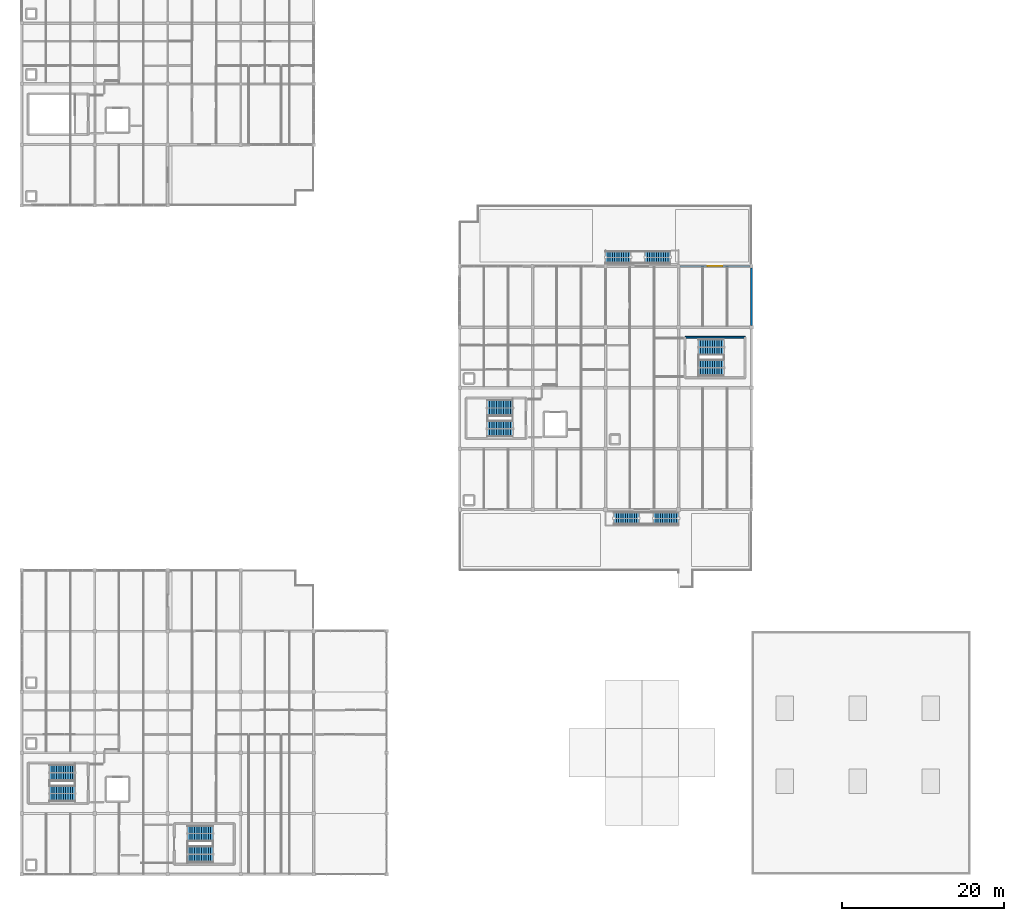
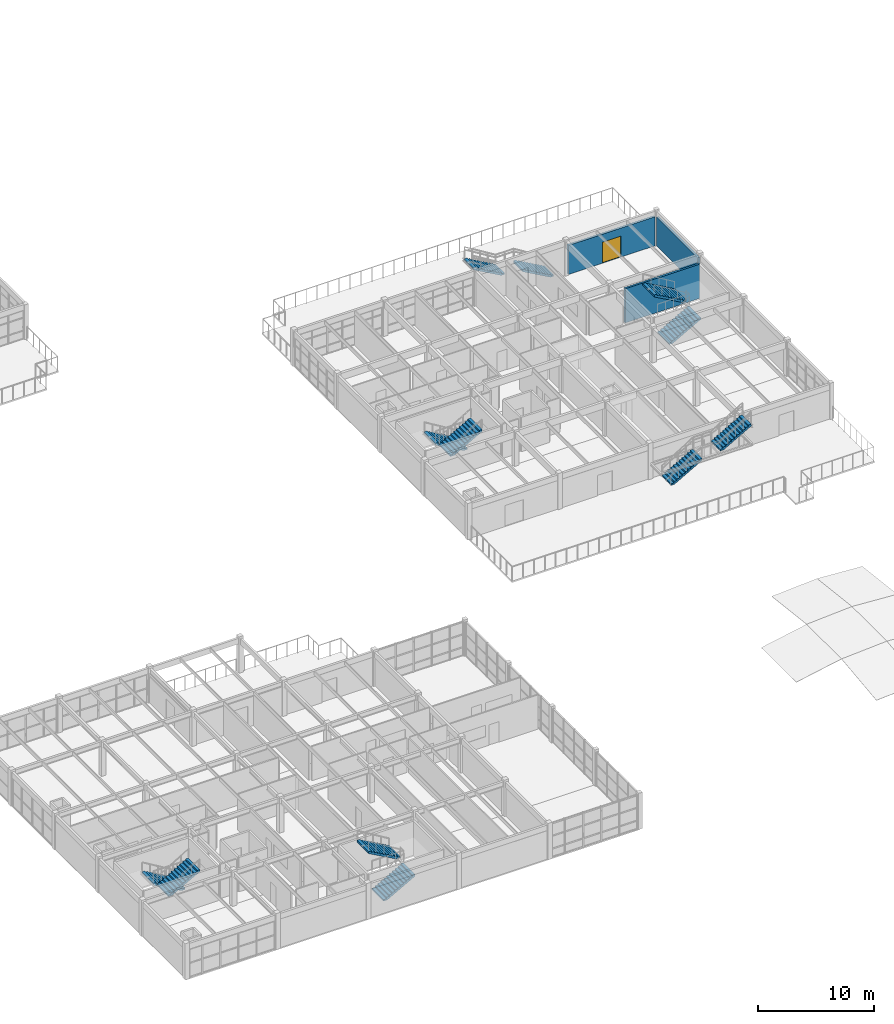
# One storey, part 41 of 45: 12 stair flights, 3 walls, 1 door, 1 opening, 6 elements without a shape of their own.
"""IFC4 building model written with IfcOpenShell, lengths in metres."""

from ifc_helpers import new_model, si_unit, direction, frame, frame_2d, origin, place, context, subcontext, project, spatial, polyline, rectangle, outline, extrude, material, layer, layer_set, type_object, element, fill, aggregate, save


model = new_model("IFC4")

# Units and contexts
model_context = context("Model", 3, precision=1e-05, world=origin(), true_north=direction((0.0, 1.0)))
body_context = subcontext(model_context, "Body", "Model", "MODEL_VIEW")
ifc_project = project(units=[si_unit("LENGTHUNIT", "METRE"), si_unit("AREAUNIT", "SQUARE_METRE"), si_unit("VOLUMEUNIT", "CUBIC_METRE"), si_unit("PLANEANGLEUNIT", "RADIAN"), si_unit("MASSUNIT", "GRAM", prefix="KILO")], contexts=[model_context])

# Site, building, storey
site_placement = place(None, origin())
site = spatial("IfcSite", under=ifc_project, at=site_placement, CompositionType="ELEMENT")
building_placement = place(site_placement, origin())
building = spatial("IfcBuilding", under=site, at=building_placement, Name="Marnridge Secondary College", CompositionType="ELEMENT")
storey_placement = place(building_placement, frame((0.0, 0.0, 12.300048828125)))
storey = spatial("IfcBuildingStorey", under=building, at=storey_placement, Name="L03", CompositionType="ELEMENT", Elevation=12.300048828125)

# Wall
ifc_material_1 = material(Name="Concrete C40/50 (AS 3600 N40, 40 MPa)", Category="concrete")
ifc_layer_1 = layer(ifc_material_1, 0.199951171875)
ifc_layer_set_1 = layer_set([ifc_layer_1], Name="WT-CORE-RC200")
wall_type_1 = type_object("IfcWallType", Name="WT-CORE-RC200", PredefinedType="SHEAR", material=ifc_layer_set_1)
wall_1_placement = place(storey_placement, frame((89.199951171875, 66.25, 0.0), z_axis=(0.0, 0.0, 1.0), x_axis=(-1.0, 0.0, 0.0)))
element("IfcWall", 1, at=wall_1_placement, inside=storey, type_object=wall_type_1, Name="Stair core shear wall WC-L03-0287", PredefinedType="SHEAR", context=body_context, shape_type="SweptSolid", body=[
    extrude(rectangle(XDim=7.39990234375, YDim=0.199951171875, at=frame_2d((3.699951171875, 0.0))), origin(), (0.0, 0.0, 1.0), 3.58984375),
])

# Wall, opening, door
ifc_material_2 = material(Name="Cross-laminated timber CL5", Category="wood")
ifc_layer_2 = layer(ifc_material_2, 0.215087890625)
ifc_layer_set_2 = layer_set([ifc_layer_2], Name="WT-EXT-CLT215")
wall_type_2 = type_object("IfcWallType", Name="WT-EXT-CLT215", PredefinedType="SOLIDWALL", material=ifc_layer_set_2)
wall_2_placement = place(storey_placement, frame((81.196044921875, 75.0, 0.0), z_axis=(0.0, 0.0, 1.0), x_axis=(1.0, 0.0, 0.0)))
wall_2 = element("IfcWall", 2, at=wall_2_placement, inside=storey, type_object=wall_type_2, Name="Exterior wall WE-L03-0165", PredefinedType="SOLIDWALL", context=body_context, shape_type="SweptSolid", body=[
    extrude(rectangle(XDim=8.60791015625, YDim=0.215087890625, at=frame_2d((4.303955078125, 0.0))), origin(), (0.0, 0.0, 1.0), 3.046875),
])
opening_placement = place(wall_2_placement, frame((3.404052734375, 0.0, 0.0)))
opening = element("IfcOpeningElement", 3, at=opening_placement, cuts=wall_2, Name="Opening DE-L03-031", PredefinedType="OPENING", context=body_context, shape_type="SweptSolid", body=[
    extrude(rectangle(XDim=1.800048828125, YDim=2.199951171875, at=frame_2d((0.89990234375, 1.10009765625))), frame((0.0, 0.117431640625, 0.0), z_axis=(0.0, -1.0, 0.0), x_axis=(1.0, 0.0, 0.0)), (0.0, 0.0, 1.0), 0.235107421875),
])
ifc_material_3 = material(Name="Thermally broken timber-aluminium terrace doorset", Category="wood")
door_type = type_object("IfcDoorType", Name="DT-EXT-TER180", OperationType="DOUBLE_DOOR_SINGLE_SWING", PredefinedType="DOOR", material=ifc_material_3)
door_placement = place(opening_placement, origin())
door = element("IfcDoor", 4, at=door_placement, inside=storey, type_object=door_type, Name="Play deck access door DE-L03-031", OperationType="DOUBLE_DOOR_SINGLE_SWING", OverallHeight=2.199951171875, OverallWidth=1.800048828125, PredefinedType="DOOR", context=body_context, shape_type="SweptSolid", body=[
    extrude(rectangle(XDim=1.800048828125, YDim=2.199951171875, at=frame_2d((0.89990234375, 1.10009765625))), frame((0.0, 0.02490234375, 0.0), z_axis=(0.0, -1.0, 0.0), x_axis=(1.0, 0.0, 0.0)), (0.0, 0.0, 1.0), 0.050048828125),
])
fill(opening, door)

# Wall
wall_3_placement = place(storey_placement, frame((90.0, 74.803955078125, 0.0), z_axis=(0.0, 0.0, 1.0), x_axis=(0.0, -1.0, 0.0)))
element("IfcWall", 5, at=wall_3_placement, inside=storey, type_object=wall_type_2, Name="Exterior wall WE-L03-0166", PredefinedType="SOLIDWALL", context=body_context, shape_type="SweptSolid", body=[
    extrude(rectangle(XDim=7.0830078125, YDim=0.215087890625, at=frame_2d((3.54150390625, 0.0))), origin(), (0.0, 0.0, 1.0), 3.046875),
])

# Stair, stair flights
ifc_material_4 = material(Name="Concrete C40/50 (AS 3600 N40, 40 MPa)", Category="concrete")
stair_type_1 = type_object("IfcStairType", Name="STC1", PredefinedType="HALF_TURN_STAIR", material=ifc_material_4)
stair_1_placement = place(storey_placement, origin())
stair_1 = element("IfcStair", 6, at=stair_1_placement, inside=storey, type_object=stair_type_1, Name="Fire-isolated stair ST-01-L03", PredefinedType="HALF_TURN_STAIR")
ifc_material_5 = material(Name="Concrete C40/50 (AS 3600 N40, 40 MPa)", Category="concrete")
stair_flight_type_1 = type_object("IfcStairFlightType", Name="SFC1", PredefinedType="STRAIGHT", material=ifc_material_5)
stair_flight_1_placement = place(storey_placement, frame((60.550048828125, 57.530029296875, 0.0), z_axis=(0.0, 0.0, 1.0), x_axis=(-1.0, 0.0, 0.0)))
stair_flight_1 = element("IfcStairFlight", 7, at=stair_flight_1_placement, type_object=stair_flight_type_1, Name="ST-01-L03 flight 1", NumberOfRisers=12, NumberOfTreads=11, PredefinedType="STRAIGHT", RiserHeight=0.158333333, TreadLength=0.285, context=body_context, shape_type="SweptSolid", body=[
    extrude(outline(polyline([(0.0, 0.0), (0.0, 0.158447265625), (0.284912109375, 0.158447265625), (0.284912109375, 0.316650390625), (0.570068359375, 0.316650390625), (0.570068359375, 0.47509765625), (0.85498046875, 0.47509765625), (0.85498046875, 0.63330078125), (1.139892578125, 0.63330078125), (1.139892578125, 0.791748046875), (1.425048828125, 0.791748046875), (1.425048828125, 0.949951171875), (1.7099609375, 0.949951171875), (1.7099609375, 1.1083984375), (1.9951171875, 1.1083984375), (1.9951171875, 1.2666015625), (2.280029296875, 1.2666015625), (2.280029296875, 1.425048828125), (2.56494140625, 1.425048828125), (2.56494140625, 1.583251953125), (2.85009765625, 1.583251953125), (2.85009765625, 1.74169921875), (3.135009765625, 1.74169921875), (3.135009765625, 1.89990234375), (3.135009765625, 1.535888671875), (0.37060546875, 0.0), (0.0, 0.0)])), frame((0.0, 1.0, 0.0), z_axis=(0.0, -1.0, 0.0), x_axis=(1.0, 0.0, 0.0)), (0.0, 0.0, 1.0), 2.0),
])
stair_flight_2_placement = place(storey_placement, frame((57.4150390625, 54.969970703125, 1.89990234375), z_axis=(0.0, 0.0, 1.0), x_axis=(1.0, 0.0, 0.0)))
stair_flight_2 = element("IfcStairFlight", 8, at=stair_flight_2_placement, type_object=stair_flight_type_1, Name="ST-01-L03 flight 2", NumberOfRisers=12, NumberOfTreads=11, PredefinedType="STRAIGHT", RiserHeight=0.158333333, TreadLength=0.285, context=body_context, shape_type="SweptSolid", body=[
    extrude(outline(polyline([(0.0, 0.0), (0.0, 0.158447265625), (0.284912109375, 0.158447265625), (0.284912109375, 0.316650390625), (0.570068359375, 0.316650390625), (0.570068359375, 0.47509765625), (0.85498046875, 0.47509765625), (0.85498046875, 0.63330078125), (1.139892578125, 0.63330078125), (1.139892578125, 0.791748046875), (1.425048828125, 0.791748046875), (1.425048828125, 0.949951171875), (1.7099609375, 0.949951171875), (1.7099609375, 1.1083984375), (1.9951171875, 1.1083984375), (1.9951171875, 1.2666015625), (2.280029296875, 1.2666015625), (2.280029296875, 1.425048828125), (2.56494140625, 1.425048828125), (2.56494140625, 1.583251953125), (2.85009765625, 1.583251953125), (2.85009765625, 1.74169921875), (3.135009765625, 1.74169921875), (3.135009765625, 1.89990234375), (3.135009765625, 1.535888671875), (0.37060546875, 0.0), (0.0, 0.0)])), frame((0.0, 1.0, 0.0), z_axis=(0.0, -1.0, 0.0), x_axis=(1.0, 0.0, 0.0)), (0.0, 0.0, 1.0), 2.0),
])
aggregate(stair_1, [stair_flight_1, stair_flight_2])

stair_2_placement = place(storey_placement, origin())
stair_2 = element("IfcStair", 9, at=stair_2_placement, inside=storey, type_object=stair_type_1, Name="Fire-isolated stair ST-02-L03", PredefinedType="HALF_TURN_STAIR")
stair_flight_3_placement = place(storey_placement, frame((83.449951171875, 62.469970703125, 0.0), z_axis=(0.0, 0.0, 1.0), x_axis=(1.0, 0.0, 0.0)))
stair_flight_3 = element("IfcStairFlight", 10, at=stair_flight_3_placement, type_object=stair_flight_type_1, Name="ST-02-L03 flight 1", NumberOfRisers=12, NumberOfTreads=11, PredefinedType="STRAIGHT", RiserHeight=0.158333333, TreadLength=0.285, context=body_context, shape_type="SweptSolid", body=[
    extrude(outline(polyline([(0.0, 0.0), (0.0, 0.158447265625), (0.284912109375, 0.158447265625), (0.284912109375, 0.316650390625), (0.570068359375, 0.316650390625), (0.570068359375, 0.47509765625), (0.85498046875, 0.47509765625), (0.85498046875, 0.63330078125), (1.139892578125, 0.63330078125), (1.139892578125, 0.791748046875), (1.425048828125, 0.791748046875), (1.425048828125, 0.949951171875), (1.7099609375, 0.949951171875), (1.7099609375, 1.1083984375), (1.9951171875, 1.1083984375), (1.9951171875, 1.2666015625), (2.280029296875, 1.2666015625), (2.280029296875, 1.425048828125), (2.56494140625, 1.425048828125), (2.56494140625, 1.583251953125), (2.85009765625, 1.583251953125), (2.85009765625, 1.74169921875), (3.135009765625, 1.74169921875), (3.135009765625, 1.89990234375), (3.135009765625, 1.535888671875), (0.37060546875, 0.0), (0.0, 0.0)])), frame((0.0, 1.0, 0.0), z_axis=(0.0, -1.0, 0.0), x_axis=(1.0, 0.0, 0.0)), (0.0, 0.0, 1.0), 2.0),
])
stair_flight_4_placement = place(storey_placement, frame((86.5849609375, 65.030029296875, 1.89990234375), z_axis=(0.0, 0.0, 1.0), x_axis=(-1.0, 0.0, 0.0)))
stair_flight_4 = element("IfcStairFlight", 11, at=stair_flight_4_placement, type_object=stair_flight_type_1, Name="ST-02-L03 flight 2", NumberOfRisers=12, NumberOfTreads=11, PredefinedType="STRAIGHT", RiserHeight=0.158333333, TreadLength=0.285, context=body_context, shape_type="SweptSolid", body=[
    extrude(outline(polyline([(0.0, 0.0), (0.0, 0.158447265625), (0.284912109375, 0.158447265625), (0.284912109375, 0.316650390625), (0.570068359375, 0.316650390625), (0.570068359375, 0.47509765625), (0.85498046875, 0.47509765625), (0.85498046875, 0.63330078125), (1.139892578125, 0.63330078125), (1.139892578125, 0.791748046875), (1.425048828125, 0.791748046875), (1.425048828125, 0.949951171875), (1.7099609375, 0.949951171875), (1.7099609375, 1.1083984375), (1.9951171875, 1.1083984375), (1.9951171875, 1.2666015625), (2.280029296875, 1.2666015625), (2.280029296875, 1.425048828125), (2.56494140625, 1.425048828125), (2.56494140625, 1.583251953125), (2.85009765625, 1.583251953125), (2.85009765625, 1.74169921875), (3.135009765625, 1.74169921875), (3.135009765625, 1.89990234375), (3.135009765625, 1.535888671875), (0.37060546875, 0.0), (0.0, 0.0)])), frame((0.0, 1.0, 0.0), z_axis=(0.0, -1.0, 0.0), x_axis=(1.0, 0.0, 0.0)), (0.0, 0.0, 1.0), 2.0),
])
aggregate(stair_2, [stair_flight_3, stair_flight_4])

stair_3_placement = place(storey_placement, origin())
stair_3 = element("IfcStair", 12, at=stair_3_placement, inside=storey, type_object=stair_type_1, Name="Fire-isolated stair ST-03-L03", PredefinedType="HALF_TURN_STAIR")
stair_flight_5_placement = place(storey_placement, frame((6.550048828125, 12.530029296875, 0.0), z_axis=(0.0, 0.0, 1.0), x_axis=(-1.0, 0.0, 0.0)))
stair_flight_5 = element("IfcStairFlight", 13, at=stair_flight_5_placement, type_object=stair_flight_type_1, Name="ST-03-L03 flight 1", NumberOfRisers=12, NumberOfTreads=11, PredefinedType="STRAIGHT", RiserHeight=0.158333333, TreadLength=0.285, context=body_context, shape_type="SweptSolid", body=[
    extrude(outline(polyline([(0.0, 0.0), (0.0, 0.158447265625), (0.284912109375, 0.158447265625), (0.284912109375, 0.316650390625), (0.570068359375, 0.316650390625), (0.570068359375, 0.47509765625), (0.85498046875, 0.47509765625), (0.85498046875, 0.63330078125), (1.139892578125, 0.63330078125), (1.139892578125, 0.791748046875), (1.425048828125, 0.791748046875), (1.425048828125, 0.949951171875), (1.7099609375, 0.949951171875), (1.7099609375, 1.1083984375), (1.9951171875, 1.1083984375), (1.9951171875, 1.2666015625), (2.280029296875, 1.2666015625), (2.280029296875, 1.425048828125), (2.56494140625, 1.425048828125), (2.56494140625, 1.583251953125), (2.85009765625, 1.583251953125), (2.85009765625, 1.74169921875), (3.135009765625, 1.74169921875), (3.135009765625, 1.89990234375), (3.135009765625, 1.535888671875), (0.37060546875, 0.0), (0.0, 0.0)])), frame((0.0, 1.0, 0.0), z_axis=(0.0, -1.0, 0.0), x_axis=(1.0, 0.0, 0.0)), (0.0, 0.0, 1.0), 2.0),
])
stair_flight_6_placement = place(storey_placement, frame((3.4150390625, 9.969970703125, 1.89990234375), z_axis=(0.0, 0.0, 1.0), x_axis=(1.0, 0.0, 0.0)))
stair_flight_6 = element("IfcStairFlight", 14, at=stair_flight_6_placement, type_object=stair_flight_type_1, Name="ST-03-L03 flight 2", NumberOfRisers=12, NumberOfTreads=11, PredefinedType="STRAIGHT", RiserHeight=0.158333333, TreadLength=0.285, context=body_context, shape_type="SweptSolid", body=[
    extrude(outline(polyline([(0.0, 0.0), (0.0, 0.158447265625), (0.284912109375, 0.158447265625), (0.284912109375, 0.316650390625), (0.570068359375, 0.316650390625), (0.570068359375, 0.47509765625), (0.85498046875, 0.47509765625), (0.85498046875, 0.63330078125), (1.139892578125, 0.63330078125), (1.139892578125, 0.791748046875), (1.425048828125, 0.791748046875), (1.425048828125, 0.949951171875), (1.7099609375, 0.949951171875), (1.7099609375, 1.1083984375), (1.9951171875, 1.1083984375), (1.9951171875, 1.2666015625), (2.280029296875, 1.2666015625), (2.280029296875, 1.425048828125), (2.56494140625, 1.425048828125), (2.56494140625, 1.583251953125), (2.85009765625, 1.583251953125), (2.85009765625, 1.74169921875), (3.135009765625, 1.74169921875), (3.135009765625, 1.89990234375), (3.135009765625, 1.535888671875), (0.37060546875, 0.0), (0.0, 0.0)])), frame((0.0, 1.0, 0.0), z_axis=(0.0, -1.0, 0.0), x_axis=(1.0, 0.0, 0.0)), (0.0, 0.0, 1.0), 2.0),
])
aggregate(stair_3, [stair_flight_5, stair_flight_6])

stair_4_placement = place(storey_placement, origin())
stair_4 = element("IfcStair", 15, at=stair_4_placement, inside=storey, type_object=stair_type_1, Name="Fire-isolated stair ST-04-L03", PredefinedType="HALF_TURN_STAIR")
stair_flight_7_placement = place(storey_placement, frame((20.449951171875, 2.469970703125, 0.0), z_axis=(0.0, 0.0, 1.0), x_axis=(1.0, 0.0, 0.0)))
stair_flight_7 = element("IfcStairFlight", 16, at=stair_flight_7_placement, type_object=stair_flight_type_1, Name="ST-04-L03 flight 1", NumberOfRisers=12, NumberOfTreads=11, PredefinedType="STRAIGHT", RiserHeight=0.158333333, TreadLength=0.285, context=body_context, shape_type="SweptSolid", body=[
    extrude(outline(polyline([(0.0, 0.0), (0.0, 0.158447265625), (0.284912109375, 0.158447265625), (0.284912109375, 0.316650390625), (0.570068359375, 0.316650390625), (0.570068359375, 0.47509765625), (0.85498046875, 0.47509765625), (0.85498046875, 0.63330078125), (1.139892578125, 0.63330078125), (1.139892578125, 0.791748046875), (1.425048828125, 0.791748046875), (1.425048828125, 0.949951171875), (1.7099609375, 0.949951171875), (1.7099609375, 1.1083984375), (1.9951171875, 1.1083984375), (1.9951171875, 1.2666015625), (2.280029296875, 1.2666015625), (2.280029296875, 1.425048828125), (2.56494140625, 1.425048828125), (2.56494140625, 1.583251953125), (2.85009765625, 1.583251953125), (2.85009765625, 1.74169921875), (3.135009765625, 1.74169921875), (3.135009765625, 1.89990234375), (3.135009765625, 1.535888671875), (0.37060546875, 0.0), (0.0, 0.0)])), frame((0.0, 1.0, 0.0), z_axis=(0.0, -1.0, 0.0), x_axis=(1.0, 0.0, 0.0)), (0.0, 0.0, 1.0), 2.0),
])
stair_flight_8_placement = place(storey_placement, frame((23.5849609375, 5.030029296875, 1.89990234375), z_axis=(0.0, 0.0, 1.0), x_axis=(-1.0, 0.0, 0.0)))
stair_flight_8 = element("IfcStairFlight", 17, at=stair_flight_8_placement, type_object=stair_flight_type_1, Name="ST-04-L03 flight 2", NumberOfRisers=12, NumberOfTreads=11, PredefinedType="STRAIGHT", RiserHeight=0.158333333, TreadLength=0.285, context=body_context, shape_type="SweptSolid", body=[
    extrude(outline(polyline([(0.0, 0.0), (0.0, 0.158447265625), (0.284912109375, 0.158447265625), (0.284912109375, 0.316650390625), (0.570068359375, 0.316650390625), (0.570068359375, 0.47509765625), (0.85498046875, 0.47509765625), (0.85498046875, 0.63330078125), (1.139892578125, 0.63330078125), (1.139892578125, 0.791748046875), (1.425048828125, 0.791748046875), (1.425048828125, 0.949951171875), (1.7099609375, 0.949951171875), (1.7099609375, 1.1083984375), (1.9951171875, 1.1083984375), (1.9951171875, 1.2666015625), (2.280029296875, 1.2666015625), (2.280029296875, 1.425048828125), (2.56494140625, 1.425048828125), (2.56494140625, 1.583251953125), (2.85009765625, 1.583251953125), (2.85009765625, 1.74169921875), (3.135009765625, 1.74169921875), (3.135009765625, 1.89990234375), (3.135009765625, 1.535888671875), (0.37060546875, 0.0), (0.0, 0.0)])), frame((0.0, 1.0, 0.0), z_axis=(0.0, -1.0, 0.0), x_axis=(1.0, 0.0, 0.0)), (0.0, 0.0, 1.0), 2.0),
])
aggregate(stair_4, [stair_flight_7, stair_flight_8])

ifc_material_6 = material(Name="Precast concrete C40/50 (AS 3600 N40, 40 MPa)", Category="concrete")
stair_type_2 = type_object("IfcStairType", Name="STZ1", PredefinedType="STRAIGHT_RUN_STAIR", material=ifc_material_6)
stair_5_placement = place(storey_placement, origin())
stair_5 = element("IfcStair", 18, at=stair_5_placement, inside=storey, type_object=stair_type_2, Name="Exterior terrace stair ST-Z2", PredefinedType="STRAIGHT_RUN_STAIR")
ifc_material_7 = material(Name="Precast concrete C40/50 (AS 3600 N40, 40 MPa)", Category="concrete")
stair_flight_type_2 = type_object("IfcStairFlightType", Name="SFZ1", PredefinedType="STRAIGHT", material=ifc_material_7)
stair_flight_9_placement = place(storey_placement, frame((79.9599609375, 76.10009765625, 0.0), z_axis=(0.0, 0.0, 1.0), x_axis=(-1.0, 0.0, 0.0)))
stair_flight_9 = element("IfcStairFlight", 19, at=stair_flight_9_placement, type_object=stair_flight_type_2, Name="ST-Z2 flight 1", NumberOfRisers=12, NumberOfTreads=11, PredefinedType="STRAIGHT", RiserHeight=0.158333333, TreadLength=0.28, context=body_context, shape_type="SweptSolid", body=[
    extrude(outline(polyline([(0.0, 0.0), (0.0, 0.158447265625), (0.280029296875, 0.158447265625), (0.280029296875, 0.316650390625), (0.56005859375, 0.316650390625), (0.56005859375, 0.47509765625), (0.840087890625, 0.47509765625), (0.840087890625, 0.63330078125), (1.1201171875, 0.63330078125), (1.1201171875, 0.791748046875), (1.39990234375, 0.791748046875), (1.39990234375, 0.949951171875), (1.679931640625, 0.949951171875), (1.679931640625, 1.1083984375), (1.9599609375, 1.1083984375), (1.9599609375, 1.2666015625), (2.239990234375, 1.2666015625), (2.239990234375, 1.425048828125), (2.52001953125, 1.425048828125), (2.52001953125, 1.583251953125), (2.800048828125, 1.583251953125), (2.800048828125, 1.74169921875), (3.080078125, 1.74169921875), (3.080078125, 1.89990234375), (3.080078125, 1.557861328125), (0.324951171875, 0.0), (0.0, 0.0)])), frame((0.0, 0.800048828125, 0.0), z_axis=(0.0, -1.0, 0.0), x_axis=(1.0, 0.0, 0.0)), (0.0, 0.0, 1.0), 1.60009765625),
])
stair_flight_10_placement = place(storey_placement, frame((75.080078125, 76.10009765625, 1.89990234375), z_axis=(0.0, 0.0, 1.0), x_axis=(-1.0, 0.0, 0.0)))
stair_flight_10 = element("IfcStairFlight", 20, at=stair_flight_10_placement, type_object=stair_flight_type_2, Name="ST-Z2 flight 2", NumberOfRisers=12, NumberOfTreads=11, PredefinedType="STRAIGHT", RiserHeight=0.158333333, TreadLength=0.28, context=body_context, shape_type="SweptSolid", body=[
    extrude(outline(polyline([(0.0, 0.0), (0.0, 0.158447265625), (0.280029296875, 0.158447265625), (0.280029296875, 0.316650390625), (0.56005859375, 0.316650390625), (0.56005859375, 0.47509765625), (0.840087890625, 0.47509765625), (0.840087890625, 0.63330078125), (1.1201171875, 0.63330078125), (1.1201171875, 0.791748046875), (1.39990234375, 0.791748046875), (1.39990234375, 0.949951171875), (1.679931640625, 0.949951171875), (1.679931640625, 1.1083984375), (1.9599609375, 1.1083984375), (1.9599609375, 1.2666015625), (2.239990234375, 1.2666015625), (2.239990234375, 1.425048828125), (2.52001953125, 1.425048828125), (2.52001953125, 1.583251953125), (2.800048828125, 1.583251953125), (2.800048828125, 1.74169921875), (3.080078125, 1.74169921875), (3.080078125, 1.89990234375), (3.080078125, 1.557861328125), (0.324951171875, 0.0), (0.0, 0.0)])), frame((0.0, 0.800048828125, 0.0), z_axis=(0.0, -1.0, 0.0), x_axis=(1.0, 0.0, 0.0)), (0.0, 0.0, 1.0), 1.60009765625),
])
aggregate(stair_5, [stair_flight_9, stair_flight_10])

stair_6_placement = place(storey_placement, origin())
stair_6 = element("IfcStair", 21, at=stair_6_placement, inside=storey, type_object=stair_type_2, Name="Exterior terrace stair ST-Z3", PredefinedType="STRAIGHT_RUN_STAIR")
stair_flight_11_placement = place(storey_placement, frame((73.0400390625, 43.89990234375, 0.0), z_axis=(0.0, 0.0, 1.0), x_axis=(1.0, 0.0, 0.0)))
stair_flight_11 = element("IfcStairFlight", 22, at=stair_flight_11_placement, type_object=stair_flight_type_2, Name="ST-Z3 flight 1", NumberOfRisers=12, NumberOfTreads=11, PredefinedType="STRAIGHT", RiserHeight=0.158333333, TreadLength=0.28, context=body_context, shape_type="SweptSolid", body=[
    extrude(outline(polyline([(0.0, 0.0), (0.0, 0.158447265625), (0.280029296875, 0.158447265625), (0.280029296875, 0.316650390625), (0.56005859375, 0.316650390625), (0.56005859375, 0.47509765625), (0.840087890625, 0.47509765625), (0.840087890625, 0.63330078125), (1.1201171875, 0.63330078125), (1.1201171875, 0.791748046875), (1.39990234375, 0.791748046875), (1.39990234375, 0.949951171875), (1.679931640625, 0.949951171875), (1.679931640625, 1.1083984375), (1.9599609375, 1.1083984375), (1.9599609375, 1.2666015625), (2.239990234375, 1.2666015625), (2.239990234375, 1.425048828125), (2.52001953125, 1.425048828125), (2.52001953125, 1.583251953125), (2.800048828125, 1.583251953125), (2.800048828125, 1.74169921875), (3.080078125, 1.74169921875), (3.080078125, 1.89990234375), (3.080078125, 1.557861328125), (0.324951171875, 0.0), (0.0, 0.0)])), frame((0.0, 0.800048828125, 0.0), z_axis=(0.0, -1.0, 0.0), x_axis=(1.0, 0.0, 0.0)), (0.0, 0.0, 1.0), 1.60009765625),
])
stair_flight_12_placement = place(storey_placement, frame((77.919921875, 43.89990234375, 1.89990234375), z_axis=(0.0, 0.0, 1.0), x_axis=(1.0, 0.0, 0.0)))
stair_flight_12 = element("IfcStairFlight", 23, at=stair_flight_12_placement, type_object=stair_flight_type_2, Name="ST-Z3 flight 2", NumberOfRisers=12, NumberOfTreads=11, PredefinedType="STRAIGHT", RiserHeight=0.158333333, TreadLength=0.28, context=body_context, shape_type="SweptSolid", body=[
    extrude(outline(polyline([(0.0, 0.0), (0.0, 0.158447265625), (0.280029296875, 0.158447265625), (0.280029296875, 0.316650390625), (0.56005859375, 0.316650390625), (0.56005859375, 0.47509765625), (0.840087890625, 0.47509765625), (0.840087890625, 0.63330078125), (1.1201171875, 0.63330078125), (1.1201171875, 0.791748046875), (1.39990234375, 0.791748046875), (1.39990234375, 0.949951171875), (1.679931640625, 0.949951171875), (1.679931640625, 1.1083984375), (1.9599609375, 1.1083984375), (1.9599609375, 1.2666015625), (2.239990234375, 1.2666015625), (2.239990234375, 1.425048828125), (2.52001953125, 1.425048828125), (2.52001953125, 1.583251953125), (2.800048828125, 1.583251953125), (2.800048828125, 1.74169921875), (3.080078125, 1.74169921875), (3.080078125, 1.89990234375), (3.080078125, 1.557861328125), (0.324951171875, 0.0), (0.0, 0.0)])), frame((0.0, 0.800048828125, 0.0), z_axis=(0.0, -1.0, 0.0), x_axis=(1.0, 0.0, 0.0)), (0.0, 0.0, 1.0), 1.60009765625),
])
aggregate(stair_6, [stair_flight_11, stair_flight_12])

save(model, "model.ifc")
